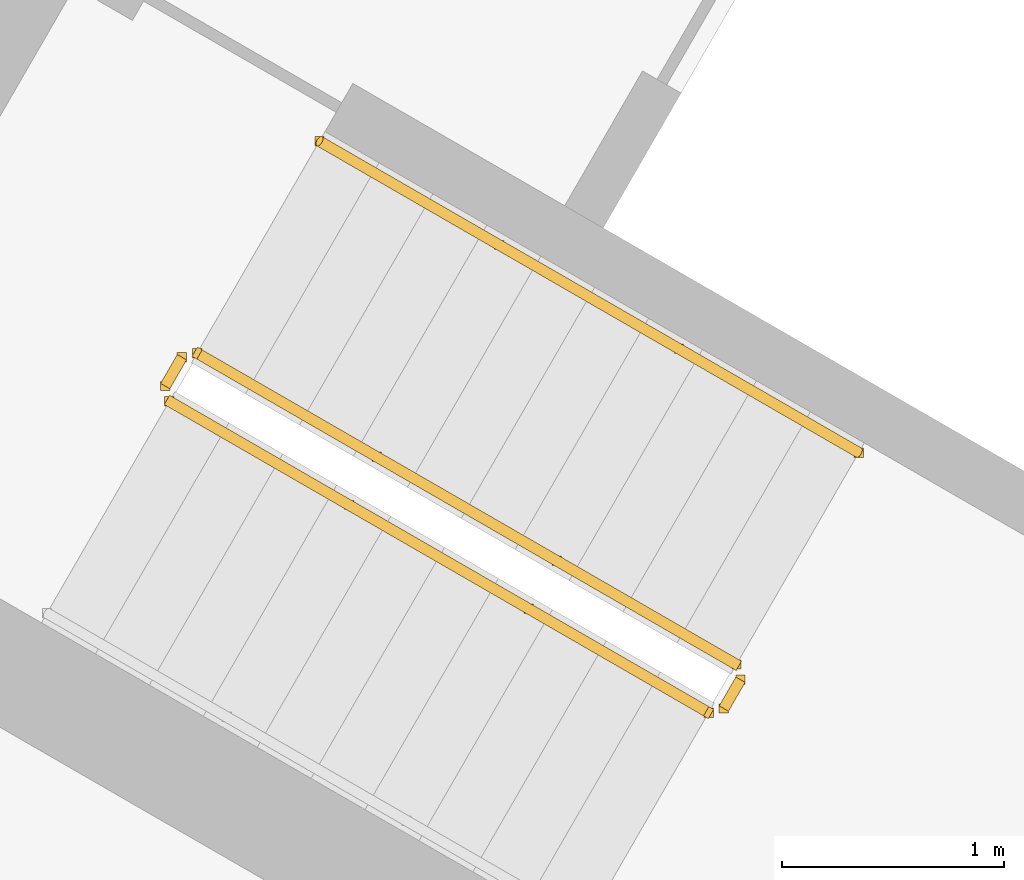
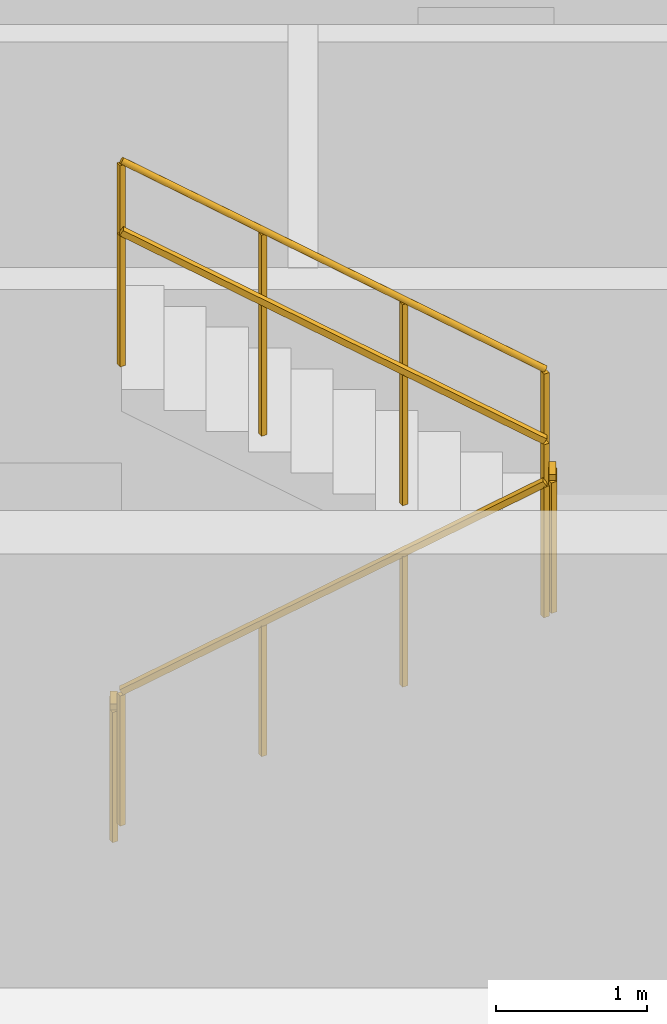
# One storey, part 12 of 14: 5 railings.
"""IFC4 building model written with IfcOpenShell, lengths in metres."""

from ifc_helpers import new_model, si_unit, direction, frame, origin, origin_2d, place, context, subcontext, project, spatial, rectangle, circle, extrude, material, type_object, element, save


model = new_model("IFC4")

# Units and contexts
model_context = context("Model", 3, precision=1e-05, world=origin(), true_north=direction((0.0, 1.0)))
body_context = subcontext(model_context, "Body", "Model", "MODEL_VIEW")
ifc_project = project(units=[si_unit("LENGTHUNIT", "METRE"), si_unit("AREAUNIT", "SQUARE_METRE"), si_unit("VOLUMEUNIT", "CUBIC_METRE"), si_unit("PLANEANGLEUNIT", "RADIAN"), si_unit("MASSUNIT", "GRAM", prefix="KILO")], contexts=[model_context])

# Site, building, storey
site_placement = place(None, origin())
site = spatial("IfcSite", under=ifc_project, at=site_placement, CompositionType="ELEMENT")
building_placement = place(site_placement, origin())
building = spatial("IfcBuilding", under=site, at=building_placement, Name="Apuvela Tower Hotel", CompositionType="ELEMENT")
storey_placement = place(building_placement, frame((0.0, 0.0, 154.0)))
storey = spatial("IfcBuildingStorey", under=building, at=storey_placement, Name="L36", CompositionType="ELEMENT", Elevation=154.0)

# Railings
ifc_material_1 = material(Name="Steel S275 balustrade", Category="steel")
railing_type_1 = type_object("IfcRailingType", Name="COR-GUARD-1100", PredefinedType="GUARDRAIL", material=ifc_material_1)
railing_1_placement = place(storey_placement, frame((10.718994140625, -10.63427734375, 0.168212890625)))
element("IfcRailing", 1, at=railing_1_placement, inside=storey, type_object=railing_type_1, Name="L36 ST3 stair guard 1", PredefinedType="GUARDRAIL", context=body_context, shape_type="SweptSolid", body=[
    extrude(rectangle(XDim=0.048095703125, YDim=0.048095703125, at=origin_2d()), frame((0.0, 0.0, 1.076171875), z_axis=(0.742390482028, -0.42860119049, 0.514934356695), x_axis=(0.49998411664, 0.866034573852, 0.0)), (0.0, 0.0, 1.0), 3.26611328125),
    extrude(rectangle(XDim=0.0419921875, YDim=0.0419921875, at=origin_2d()), origin(), (0.0, 0.0, 1.0), 1.052001953125),
    extrude(rectangle(XDim=0.0419921875, YDim=0.0419921875, at=origin_2d()), frame((0.808349609375, -0.466552734375, 0.560546875)), (0.0, 0.0, 1.0), 1.052001953125),
    extrude(rectangle(XDim=0.0419921875, YDim=0.0419921875, at=origin_2d()), frame((1.616455078125, -0.933349609375, 1.121337890625)), (0.0, 0.0, 1.0), 1.052001953125),
    extrude(rectangle(XDim=0.0419921875, YDim=0.0419921875, at=origin_2d()), frame((2.4248046875, -1.39990234375, 1.681884765625)), (0.0, 0.0, 1.0), 1.052001953125),
])
railing_2_placement = place(storey_placement, frame((13.212158203125, -12.015869140625, 1.85009765625)))
element("IfcRailing", 2, at=railing_2_placement, inside=storey, type_object=railing_type_1, Name="L36 ST3 stair guard 2", PredefinedType="GUARDRAIL", context=body_context, shape_type="SweptSolid", body=[
    extrude(rectangle(XDim=0.048095703125, YDim=0.048095703125, at=origin_2d()), frame((0.0, 0.0, 1.076171875), z_axis=(0.499816412211, 0.866131372301, 0.0), x_axis=(-0.866131372301, 0.499816412211, 0.0)), (0.0, 0.0, 1.0), 0.14990234375),
    extrude(rectangle(XDim=0.0419921875, YDim=0.0419921875, at=origin_2d()), origin(), (0.0, 0.0, 1.0), 1.052001953125),
    extrude(rectangle(XDim=0.0419921875, YDim=0.0419921875, at=origin_2d()), frame((0.074951171875, 0.1298828125, 0.0)), (0.0, 0.0, 1.0), 1.052001953125),
])
railing_3_placement = place(storey_placement, frame((13.268798828125, -11.817626953125, 2.01806640625)))
element("IfcRailing", 3, at=railing_3_placement, inside=storey, type_object=railing_type_1, Name="L36 ST3 stair guard 3", PredefinedType="GUARDRAIL", context=body_context, shape_type="SweptSolid", body=[
    extrude(rectangle(XDim=0.048095703125, YDim=0.048095703125, at=origin_2d()), frame((0.0, 0.0, 1.076171875), z_axis=(-0.742390482028, 0.42860119049, 0.514934356695), x_axis=(-0.49998411664, -0.866034573852, 0.0)), (0.0, 0.0, 1.0), 3.26611328125),
    extrude(rectangle(XDim=0.0419921875, YDim=0.0419921875, at=origin_2d()), origin(), (0.0, 0.0, 1.0), 1.052001953125),
    extrude(rectangle(XDim=0.0419921875, YDim=0.0419921875, at=origin_2d()), frame((-0.808349609375, 0.466552734375, 0.560546875)), (0.0, 0.0, 1.0), 1.052001953125),
    extrude(rectangle(XDim=0.0419921875, YDim=0.0419921875, at=origin_2d()), frame((-1.616455078125, 0.933349609375, 1.121337890625)), (0.0, 0.0, 1.0), 1.052001953125),
    extrude(rectangle(XDim=0.0419921875, YDim=0.0419921875, at=origin_2d()), frame((-2.4248046875, 1.39990234375, 1.681884765625)), (0.0, 0.0, 1.0), 1.052001953125),
])
railing_4_placement = place(storey_placement, frame((10.70068359375, -10.56591796875, 0.0)))
element("IfcRailing", 4, at=railing_4_placement, inside=storey, type_object=railing_type_1, Name="L36 ST3 stair guard 4", PredefinedType="GUARDRAIL", context=body_context, shape_type="SweptSolid", body=[
    extrude(rectangle(XDim=0.048095703125, YDim=0.048095703125, at=origin_2d()), frame((0.0, 0.0, 1.076171875), z_axis=(0.499816412211, 0.866131372301, 0.0), x_axis=(-0.866131372301, 0.499816412211, 0.0)), (0.0, 0.0, 1.0), 0.14990234375),
    extrude(rectangle(XDim=0.0419921875, YDim=0.0419921875, at=origin_2d()), origin(), (0.0, 0.0, 1.0), 1.052001953125),
    extrude(rectangle(XDim=0.0419921875, YDim=0.0419921875, at=origin_2d()), frame((0.074951171875, 0.1298828125, 0.0)), (0.0, 0.0, 1.0), 1.052001953125),
])
ifc_material_2 = material(Name="Stainless steel 316 handrail", Category="steel")
railing_type_2 = type_object("IfcRailingType", Name="COR-HANDRAIL-900", PredefinedType="HANDRAIL", material=ifc_material_2)
railing_5_placement = place(storey_placement, frame((13.81884765625, -10.864990234375, 2.01806640625)))
element("IfcRailing", 5, at=railing_5_placement, inside=storey, type_object=railing_type_2, Name="L36 ST3 stair handrail 2", PredefinedType="HANDRAIL", context=body_context, shape_type="SweptSolid", body=[
    extrude(circle(Radius=0.02392578125, at=origin_2d()), frame((0.0, 0.0, 0.8759765625), z_axis=(-0.742390482028, 0.42860119049, 0.514934356695), x_axis=(-0.49998411664, -0.866034573852, 0.0)), (0.0, 0.0, 1.0), 3.26611328125),
    extrude(rectangle(XDim=0.0419921875, YDim=0.0419921875, at=origin_2d()), origin(), (0.0, 0.0, 1.0), 0.851806640625),
    extrude(rectangle(XDim=0.0419921875, YDim=0.0419921875, at=origin_2d()), frame((-0.808349609375, 0.466552734375, 0.560546875)), (0.0, 0.0, 1.0), 0.851806640625),
    extrude(rectangle(XDim=0.0419921875, YDim=0.0419921875, at=origin_2d()), frame((-1.616455078125, 0.933349609375, 1.121337890625)), (0.0, 0.0, 1.0), 0.851806640625),
    extrude(rectangle(XDim=0.0419921875, YDim=0.0419921875, at=origin_2d()), frame((-2.4248046875, 1.39990234375, 1.681884765625)), (0.0, 0.0, 1.0), 0.851806640625),
])

save(model, "model.ifc")
